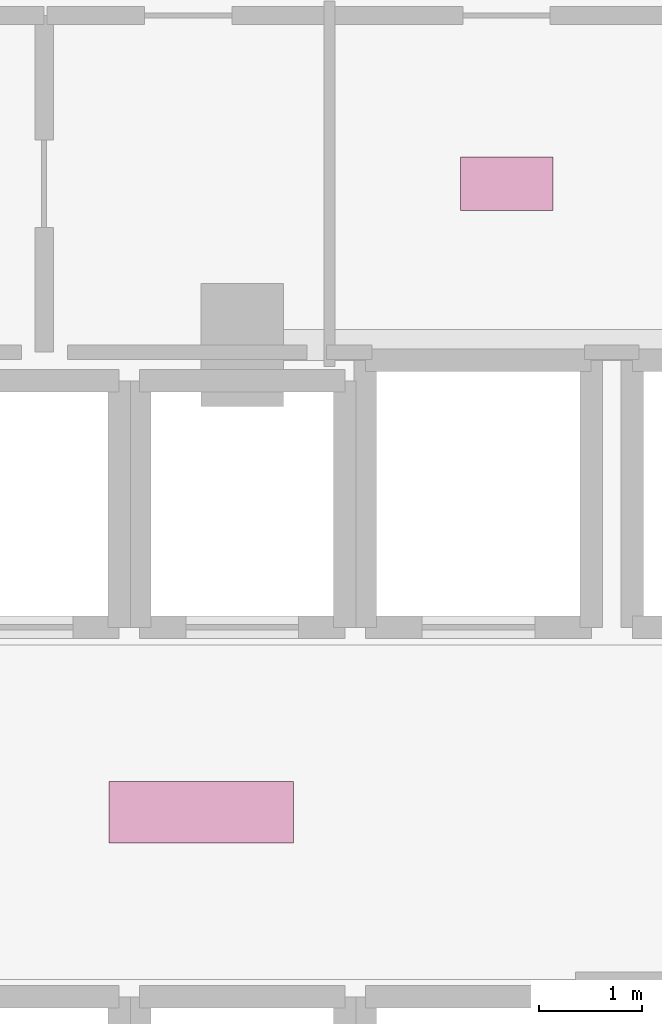
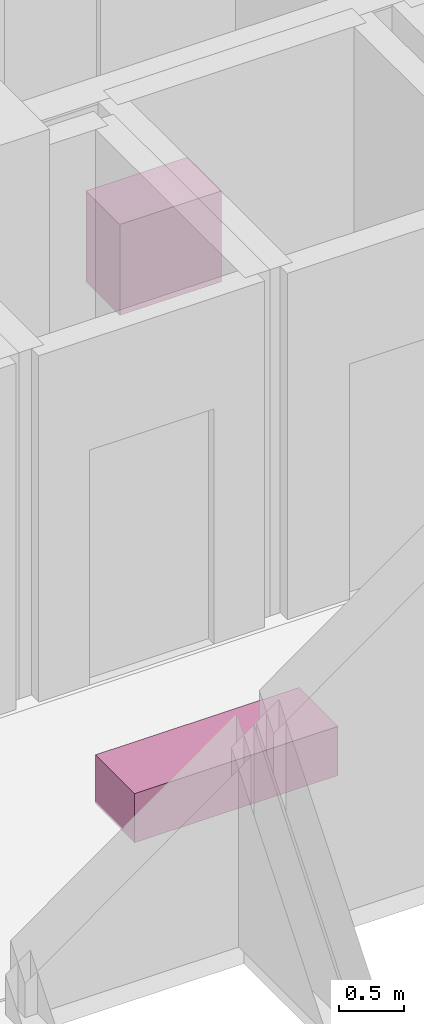
# One storey, part 35 of 35: 2 furnishings.
"""IFC4 building model written with IfcOpenShell, lengths in metres."""

from ifc_helpers import new_model, si_unit, direction, frame, origin, origin_2d, place, context, subcontext, project, spatial, rectangle, extrude, material, type_object, element, save


model = new_model("IFC4")

# Units and contexts
model_context = context("Model", 3, precision=1e-05, world=origin(), true_north=direction((0.0, 1.0)))
body_context = subcontext(model_context, "Body", "Model", "MODEL_VIEW")
ifc_project = project(units=[si_unit("LENGTHUNIT", "METRE"), si_unit("AREAUNIT", "SQUARE_METRE"), si_unit("VOLUMEUNIT", "CUBIC_METRE"), si_unit("PLANEANGLEUNIT", "RADIAN"), si_unit("MASSUNIT", "GRAM", prefix="KILO")], contexts=[model_context])

# Site, building, storey
site_placement = place(None, origin())
site = spatial("IfcSite", under=ifc_project, at=site_placement, CompositionType="ELEMENT")
building_placement = place(site_placement, origin())
building = spatial("IfcBuilding", under=site, at=building_placement, Name="Vorneva Point Tower", CompositionType="ELEMENT")
storey_placement = place(building_placement, frame((0.0, 0.0, 52.0)))
storey = spatial("IfcBuildingStorey", under=building, at=storey_placement, Name="L13", CompositionType="ELEMENT", Elevation=52.0)

# Furnishings
ifc_material_1 = material(Name="Engineered oak fire-rated door leaf", Category="wood")
furniture_type_1 = type_object("IfcFurnitureType", Name="FUR-BNC-1800", AssemblyPlace="NOTDEFINED", PredefinedType="NOTDEFINED", material=ifc_material_1)
furnishing_1_placement = place(storey_placement, frame((35.0, 26.0, -0.0048828125), z_axis=(0.0, 0.0, 1.0), x_axis=(1.0, 0.0, 0.0)))
element("IfcFurnishingElement", 1, at=furnishing_1_placement, inside=storey, type_object=furniture_type_1, Name="L13 Lift Lobby Seating Bench", ObjectType="L13 Lift Lobby Seating Bench", context=body_context, shape_type="SweptSolid", body=[
    extrude(rectangle(XDim=1.800048828125, YDim=0.60009765625, at=origin_2d()), origin(), (0.0, 0.0, 1.0), 0.4599609375),
])
ifc_material_2 = material(Name="Vitreous china and granite top", Category="masonry")
furniture_type_2 = type_object("IfcFurnitureType", Name="FUR-VAN-900", AssemblyPlace="NOTDEFINED", PredefinedType="NOTDEFINED", material=ifc_material_2)
furnishing_2_placement = place(storey_placement, frame((37.97509765625, 32.1201171875, -0.005126953125), z_axis=(0.0, 0.0, 1.0), x_axis=(1.0, 0.0, 0.0)))
element("IfcFurnishingElement", 2, at=furnishing_2_placement, inside=storey, type_object=furniture_type_2, Name="L13 Accessible WC Vanity Unit", ObjectType="L13 Accessible WC Vanity Unit", context=body_context, shape_type="SweptSolid", body=[
    extrude(rectangle(XDim=0.89990234375, YDim=0.52001953125, at=origin_2d()), origin(), (0.0, 0.0, 1.0), 0.85009765625),
])

save(model, "model.ifc")
